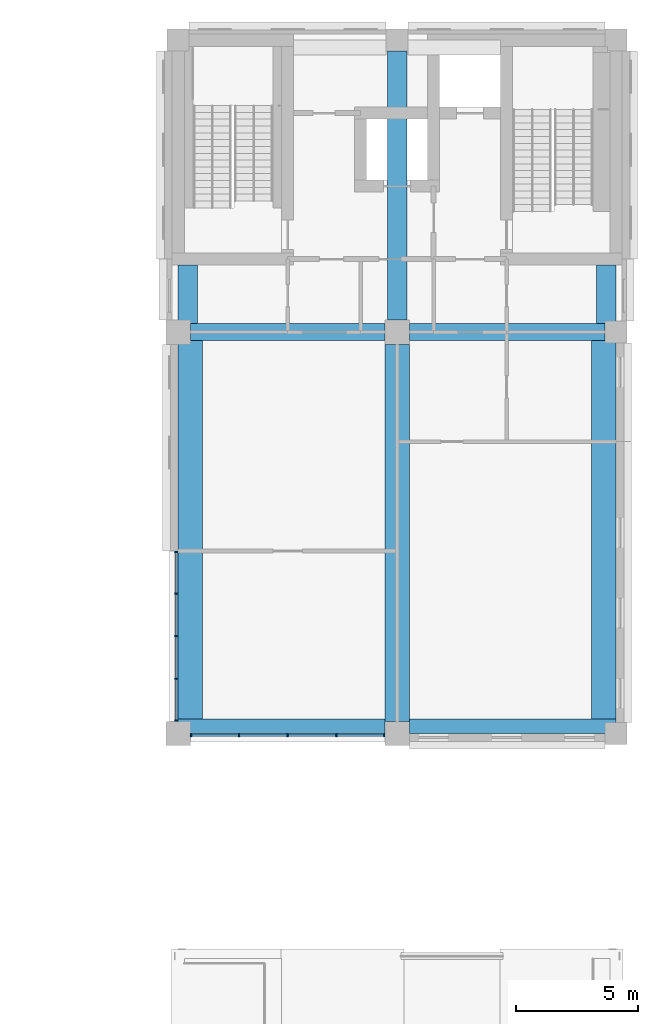
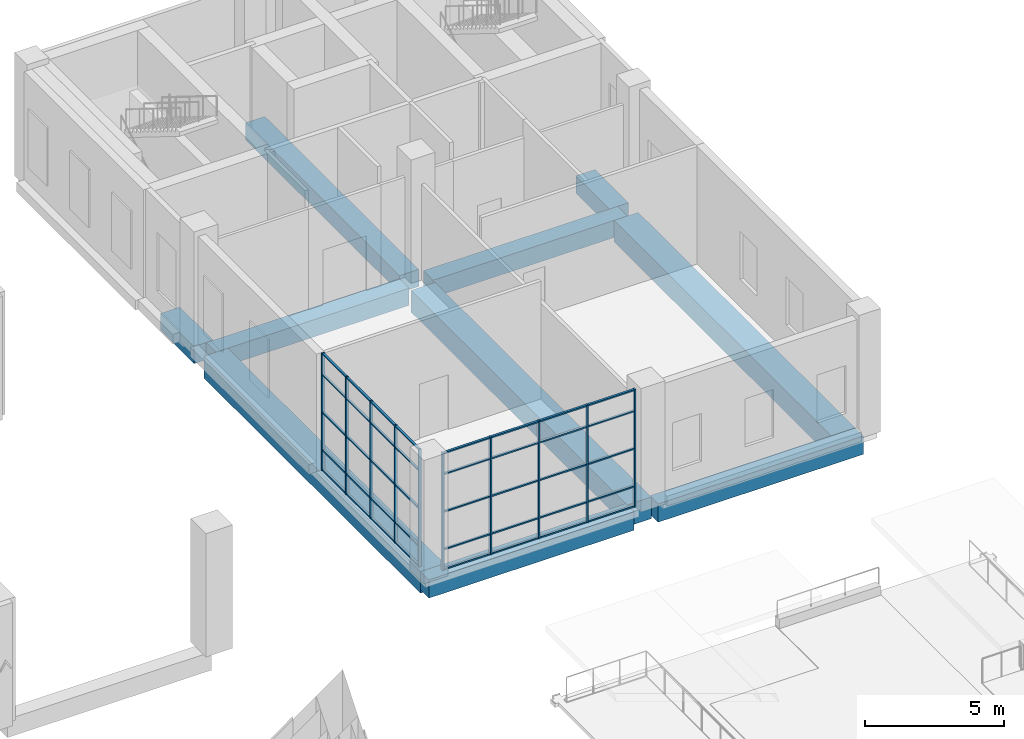
# One storey, part 13 of 53: 50 members, 10 beams, 2 elements without a shape of their own.
"""IFC4 building model written with IfcOpenShell, lengths in metres."""

from ifc_helpers import new_model, si_unit, direction, frame, origin, origin_2d, place, context, subcontext, project, spatial, rectangle, extrude, material, layer, layer_set, material_profile, profile_set, type_object, element, aggregate, save


model = new_model("IFC4")

# Units and contexts
model_context = context("Model", 3, precision=1e-05, world=origin(), true_north=direction((0.0, 1.0)))
body_context = subcontext(model_context, "Body", "Model", "MODEL_VIEW")
ifc_project = project(units=[si_unit("LENGTHUNIT", "METRE"), si_unit("AREAUNIT", "SQUARE_METRE"), si_unit("VOLUMEUNIT", "CUBIC_METRE"), si_unit("PLANEANGLEUNIT", "RADIAN"), si_unit("MASSUNIT", "GRAM", prefix="KILO")], contexts=[model_context])

# Site, building, storey
site_placement = place(None, origin())
site = spatial("IfcSite", under=ifc_project, at=site_placement, CompositionType="ELEMENT")
building_placement = place(site_placement, origin())
building = spatial("IfcBuilding", under=site, at=building_placement, Name="Aurelan Courthouse", CompositionType="ELEMENT")
storey_placement = place(building_placement, frame((0.0, 0.0, 12.0)))
storey = spatial("IfcBuildingStorey", under=building, at=storey_placement, Name="L02", CompositionType="ELEMENT", Elevation=12.0)

# Curtain wall, members
ifc_material_1 = material(Name="Bronze-finished aluminium and glass", Category="aluminium")
ifc_layer_1 = layer(ifc_material_1, 0.14990234375)
ifc_layer_set_1 = layer_set([ifc_layer_1], Name="Bronze-finished aluminium and glass")
curtain_wall_type_1 = type_object("IfcCurtainWallType", Name="Curtain wall 8000 x 5150", PredefinedType="NOTDEFINED", material=ifc_layer_set_1)
curtain_wall_1_placement = place(storey_placement, origin())
curtain_wall_1 = element("IfcCurtainWall", 1, at=curtain_wall_1_placement, inside=storey, type_object=curtain_wall_type_1, Name="Curtain wall CW-V3-L02-S01", PredefinedType="NOTDEFINED")
ifc_material_2 = material(Name="Bronze-finished aluminium", Category="aluminium")
ifc_material_profile_1 = material_profile(ifc_material_2, rectangle(XDim=0.125, YDim=0.06005859375, at=origin_2d()), Name="Bronze mullion 60 x 125")
ifc_profile_set_1 = profile_set([ifc_material_profile_1], Name="Bronze-finished aluminium")
member_type_1 = type_object("IfcMemberType", Name="Curtain wall mullion 60 x 125", PredefinedType="MULLION", material=ifc_profile_set_1)
member_1_placement = place(storey_placement, frame((72.530029296875, 37.425048828125, 0.0), z_axis=(0.0, 0.0, 1.0), x_axis=(0.0, 1.0, 0.0)))
member_1 = element("IfcMember", 2, at=member_1_placement, type_object=member_type_1, Name="CW-V3-L02-S01 mullion 1", PredefinedType="MULLION", context=body_context, shape_type="SweptSolid", body=[
    extrude(rectangle(XDim=0.125, YDim=0.06005859375, at=origin_2d()), origin(), (0.0, 0.0, 1.0), 5.14990234375),
])
member_2_placement = place(storey_placement, frame((74.5, 37.425048828125, 0.0), z_axis=(0.0, 0.0, 1.0), x_axis=(0.0, 1.0, 0.0)))
member_2 = element("IfcMember", 3, at=member_2_placement, type_object=member_type_1, Name="CW-V3-L02-S01 mullion 2", PredefinedType="MULLION", context=body_context, shape_type="SweptSolid", body=[
    extrude(rectangle(XDim=0.125, YDim=0.06005859375, at=origin_2d()), origin(), (0.0, 0.0, 1.0), 5.14990234375),
])
member_3_placement = place(storey_placement, frame((76.5, 37.425048828125, 0.0), z_axis=(0.0, 0.0, 1.0), x_axis=(0.0, 1.0, 0.0)))
member_3 = element("IfcMember", 4, at=member_3_placement, type_object=member_type_1, Name="CW-V3-L02-S01 mullion 3", PredefinedType="MULLION", context=body_context, shape_type="SweptSolid", body=[
    extrude(rectangle(XDim=0.125, YDim=0.06005859375, at=origin_2d()), origin(), (0.0, 0.0, 1.0), 5.14990234375),
])
member_4_placement = place(storey_placement, frame((78.5, 37.425048828125, 0.0), z_axis=(0.0, 0.0, 1.0), x_axis=(0.0, 1.0, 0.0)))
member_4 = element("IfcMember", 5, at=member_4_placement, type_object=member_type_1, Name="CW-V3-L02-S01 mullion 4", PredefinedType="MULLION", context=body_context, shape_type="SweptSolid", body=[
    extrude(rectangle(XDim=0.125, YDim=0.06005859375, at=origin_2d()), origin(), (0.0, 0.0, 1.0), 5.14990234375),
])
member_5_placement = place(storey_placement, frame((80.469970703125, 37.425048828125, 0.0), z_axis=(0.0, 0.0, 1.0), x_axis=(0.0, 1.0, 0.0)))
member_5 = element("IfcMember", 6, at=member_5_placement, type_object=member_type_1, Name="CW-V3-L02-S01 mullion 5", PredefinedType="MULLION", context=body_context, shape_type="SweptSolid", body=[
    extrude(rectangle(XDim=0.125, YDim=0.06005859375, at=origin_2d()), origin(), (0.0, 0.0, 1.0), 5.14990234375),
])

ifc_layer_2 = layer(ifc_material_1, 0.14990234375)
ifc_layer_set_2 = layer_set([ifc_layer_2], Name="Bronze-finished aluminium and glass")
curtain_wall_type_2 = type_object("IfcCurtainWallType", Name="Curtain wall 7000 x 5150", PredefinedType="NOTDEFINED", material=ifc_layer_set_2)
curtain_wall_2_placement = place(storey_placement, origin())
curtain_wall_2 = element("IfcCurtainWall", 7, at=curtain_wall_2_placement, inside=storey, type_object=curtain_wall_type_2, Name="Curtain wall CW-V3-L02-W01", PredefinedType="NOTDEFINED")
member_6_placement = place(storey_placement, frame((71.925048828125, 38.030029296875, 0.0), z_axis=(0.0, 0.0, 1.0), x_axis=(-1.0, 0.0, 0.0)))
member_6 = element("IfcMember", 8, at=member_6_placement, type_object=member_type_1, Name="CW-V3-L02-W01 mullion 1", PredefinedType="MULLION", context=body_context, shape_type="SweptSolid", body=[
    extrude(rectangle(XDim=0.125, YDim=0.06005859375, at=origin_2d()), origin(), (0.0, 0.0, 1.0), 5.14990234375),
])
member_7_placement = place(storey_placement, frame((71.925048828125, 39.75, 0.0), z_axis=(0.0, 0.0, 1.0), x_axis=(-1.0, 0.0, 0.0)))
member_7 = element("IfcMember", 9, at=member_7_placement, type_object=member_type_1, Name="CW-V3-L02-W01 mullion 2", PredefinedType="MULLION", context=body_context, shape_type="SweptSolid", body=[
    extrude(rectangle(XDim=0.125, YDim=0.06005859375, at=origin_2d()), origin(), (0.0, 0.0, 1.0), 5.14990234375),
])
member_8_placement = place(storey_placement, frame((71.925048828125, 41.5, 0.0), z_axis=(0.0, 0.0, 1.0), x_axis=(-1.0, 0.0, 0.0)))
member_8 = element("IfcMember", 10, at=member_8_placement, type_object=member_type_1, Name="CW-V3-L02-W01 mullion 3", PredefinedType="MULLION", context=body_context, shape_type="SweptSolid", body=[
    extrude(rectangle(XDim=0.125, YDim=0.06005859375, at=origin_2d()), origin(), (0.0, 0.0, 1.0), 5.14990234375),
])
member_9_placement = place(storey_placement, frame((71.925048828125, 43.25, 0.0), z_axis=(0.0, 0.0, 1.0), x_axis=(-1.0, 0.0, 0.0)))
member_9 = element("IfcMember", 11, at=member_9_placement, type_object=member_type_1, Name="CW-V3-L02-W01 mullion 4", PredefinedType="MULLION", context=body_context, shape_type="SweptSolid", body=[
    extrude(rectangle(XDim=0.125, YDim=0.06005859375, at=origin_2d()), origin(), (0.0, 0.0, 1.0), 5.14990234375),
])
member_10_placement = place(storey_placement, frame((71.925048828125, 44.969970703125, 0.0), z_axis=(0.0, 0.0, 1.0), x_axis=(-1.0, 0.0, 0.0)))
member_10 = element("IfcMember", 12, at=member_10_placement, type_object=member_type_1, Name="CW-V3-L02-W01 mullion 5", PredefinedType="MULLION", context=body_context, shape_type="SweptSolid", body=[
    extrude(rectangle(XDim=0.125, YDim=0.06005859375, at=origin_2d()), origin(), (0.0, 0.0, 1.0), 5.14990234375),
])

# Member
ifc_material_profile_2 = material_profile(ifc_material_2, rectangle(XDim=0.090087890625, YDim=0.06005859375, at=origin_2d()), Name="Bronze transom 60 x 90")
ifc_profile_set_2 = profile_set([ifc_material_profile_2], Name="Bronze-finished aluminium")
member_type_2 = type_object("IfcMemberType", Name="Curtain wall transom 60 x 90", PredefinedType="USERDEFINED", material=ifc_profile_set_2)
member_11_placement = place(storey_placement, frame((72.56005859375, 37.425048828125, 0.030029296875), z_axis=(1.0, 0.0, 0.0), x_axis=(0.0, 1.0, 0.0)))
member_11 = element("IfcMember", 13, at=member_11_placement, type_object=member_type_2, Name="CW-V3-L02-S01 transom 1.1", ObjectType="TRANSOM", PredefinedType="USERDEFINED", context=body_context, shape_type="SweptSolid", body=[
    extrude(rectangle(XDim=0.090087890625, YDim=0.06005859375, at=origin_2d()), origin(), (0.0, 0.0, 1.0), 1.909912109375),
])

member_12_placement = place(storey_placement, frame((72.56005859375, 37.425048828125, 0.89990234375), z_axis=(1.0, 0.0, 0.0), x_axis=(0.0, 1.0, 0.0)))
member_12 = element("IfcMember", 14, at=member_12_placement, type_object=member_type_2, Name="CW-V3-L02-S01 transom 1.2", ObjectType="TRANSOM", PredefinedType="USERDEFINED", context=body_context, shape_type="SweptSolid", body=[
    extrude(rectangle(XDim=0.090087890625, YDim=0.06005859375, at=origin_2d()), origin(), (0.0, 0.0, 1.0), 1.909912109375),
])

member_13_placement = place(storey_placement, frame((72.56005859375, 37.425048828125, 2.550048828125), z_axis=(1.0, 0.0, 0.0), x_axis=(0.0, 1.0, 0.0)))
member_13 = element("IfcMember", 15, at=member_13_placement, type_object=member_type_2, Name="CW-V3-L02-S01 transom 1.3", ObjectType="TRANSOM", PredefinedType="USERDEFINED", context=body_context, shape_type="SweptSolid", body=[
    extrude(rectangle(XDim=0.090087890625, YDim=0.06005859375, at=origin_2d()), origin(), (0.0, 0.0, 1.0), 1.909912109375),
])

member_14_placement = place(storey_placement, frame((72.56005859375, 37.425048828125, 4.199951171875), z_axis=(1.0, 0.0, 0.0), x_axis=(0.0, 1.0, 0.0)))
member_14 = element("IfcMember", 16, at=member_14_placement, type_object=member_type_2, Name="CW-V3-L02-S01 transom 1.4", ObjectType="TRANSOM", PredefinedType="USERDEFINED", context=body_context, shape_type="SweptSolid", body=[
    extrude(rectangle(XDim=0.090087890625, YDim=0.06005859375, at=origin_2d()), origin(), (0.0, 0.0, 1.0), 1.909912109375),
])

member_15_placement = place(storey_placement, frame((72.56005859375, 37.425048828125, 5.1201171875), z_axis=(1.0, 0.0, 0.0), x_axis=(0.0, 1.0, 0.0)))
member_15 = element("IfcMember", 17, at=member_15_placement, type_object=member_type_2, Name="CW-V3-L02-S01 transom 1.5", ObjectType="TRANSOM", PredefinedType="USERDEFINED", context=body_context, shape_type="SweptSolid", body=[
    extrude(rectangle(XDim=0.090087890625, YDim=0.06005859375, at=origin_2d()), origin(), (0.0, 0.0, 1.0), 1.909912109375),
])

member_16_placement = place(storey_placement, frame((74.530029296875, 37.425048828125, 0.030029296875), z_axis=(1.0, 0.0, 0.0), x_axis=(0.0, 1.0, 0.0)))
member_16 = element("IfcMember", 18, at=member_16_placement, type_object=member_type_2, Name="CW-V3-L02-S01 transom 2.1", ObjectType="TRANSOM", PredefinedType="USERDEFINED", context=body_context, shape_type="SweptSolid", body=[
    extrude(rectangle(XDim=0.090087890625, YDim=0.06005859375, at=origin_2d()), origin(), (0.0, 0.0, 1.0), 1.93994140625),
])

member_17_placement = place(storey_placement, frame((74.530029296875, 37.425048828125, 0.89990234375), z_axis=(1.0, 0.0, 0.0), x_axis=(0.0, 1.0, 0.0)))
member_17 = element("IfcMember", 19, at=member_17_placement, type_object=member_type_2, Name="CW-V3-L02-S01 transom 2.2", ObjectType="TRANSOM", PredefinedType="USERDEFINED", context=body_context, shape_type="SweptSolid", body=[
    extrude(rectangle(XDim=0.090087890625, YDim=0.06005859375, at=origin_2d()), origin(), (0.0, 0.0, 1.0), 1.93994140625),
])

member_18_placement = place(storey_placement, frame((74.530029296875, 37.425048828125, 2.550048828125), z_axis=(1.0, 0.0, 0.0), x_axis=(0.0, 1.0, 0.0)))
member_18 = element("IfcMember", 20, at=member_18_placement, type_object=member_type_2, Name="CW-V3-L02-S01 transom 2.3", ObjectType="TRANSOM", PredefinedType="USERDEFINED", context=body_context, shape_type="SweptSolid", body=[
    extrude(rectangle(XDim=0.090087890625, YDim=0.06005859375, at=origin_2d()), origin(), (0.0, 0.0, 1.0), 1.93994140625),
])

member_19_placement = place(storey_placement, frame((74.530029296875, 37.425048828125, 4.199951171875), z_axis=(1.0, 0.0, 0.0), x_axis=(0.0, 1.0, 0.0)))
member_19 = element("IfcMember", 21, at=member_19_placement, type_object=member_type_2, Name="CW-V3-L02-S01 transom 2.4", ObjectType="TRANSOM", PredefinedType="USERDEFINED", context=body_context, shape_type="SweptSolid", body=[
    extrude(rectangle(XDim=0.090087890625, YDim=0.06005859375, at=origin_2d()), origin(), (0.0, 0.0, 1.0), 1.93994140625),
])

member_20_placement = place(storey_placement, frame((74.530029296875, 37.425048828125, 5.1201171875), z_axis=(1.0, 0.0, 0.0), x_axis=(0.0, 1.0, 0.0)))
member_20 = element("IfcMember", 22, at=member_20_placement, type_object=member_type_2, Name="CW-V3-L02-S01 transom 2.5", ObjectType="TRANSOM", PredefinedType="USERDEFINED", context=body_context, shape_type="SweptSolid", body=[
    extrude(rectangle(XDim=0.090087890625, YDim=0.06005859375, at=origin_2d()), origin(), (0.0, 0.0, 1.0), 1.93994140625),
])

member_21_placement = place(storey_placement, frame((76.530029296875, 37.425048828125, 0.030029296875), z_axis=(1.0, 0.0, 0.0), x_axis=(0.0, 1.0, 0.0)))
member_21 = element("IfcMember", 23, at=member_21_placement, type_object=member_type_2, Name="CW-V3-L02-S01 transom 3.1", ObjectType="TRANSOM", PredefinedType="USERDEFINED", context=body_context, shape_type="SweptSolid", body=[
    extrude(rectangle(XDim=0.090087890625, YDim=0.06005859375, at=origin_2d()), origin(), (0.0, 0.0, 1.0), 1.93994140625),
])

member_22_placement = place(storey_placement, frame((76.530029296875, 37.425048828125, 0.89990234375), z_axis=(1.0, 0.0, 0.0), x_axis=(0.0, 1.0, 0.0)))
member_22 = element("IfcMember", 24, at=member_22_placement, type_object=member_type_2, Name="CW-V3-L02-S01 transom 3.2", ObjectType="TRANSOM", PredefinedType="USERDEFINED", context=body_context, shape_type="SweptSolid", body=[
    extrude(rectangle(XDim=0.090087890625, YDim=0.06005859375, at=origin_2d()), origin(), (0.0, 0.0, 1.0), 1.93994140625),
])

member_23_placement = place(storey_placement, frame((76.530029296875, 37.425048828125, 2.550048828125), z_axis=(1.0, 0.0, 0.0), x_axis=(0.0, 1.0, 0.0)))
member_23 = element("IfcMember", 25, at=member_23_placement, type_object=member_type_2, Name="CW-V3-L02-S01 transom 3.3", ObjectType="TRANSOM", PredefinedType="USERDEFINED", context=body_context, shape_type="SweptSolid", body=[
    extrude(rectangle(XDim=0.090087890625, YDim=0.06005859375, at=origin_2d()), origin(), (0.0, 0.0, 1.0), 1.93994140625),
])

member_24_placement = place(storey_placement, frame((76.530029296875, 37.425048828125, 4.199951171875), z_axis=(1.0, 0.0, 0.0), x_axis=(0.0, 1.0, 0.0)))
member_24 = element("IfcMember", 26, at=member_24_placement, type_object=member_type_2, Name="CW-V3-L02-S01 transom 3.4", ObjectType="TRANSOM", PredefinedType="USERDEFINED", context=body_context, shape_type="SweptSolid", body=[
    extrude(rectangle(XDim=0.090087890625, YDim=0.06005859375, at=origin_2d()), origin(), (0.0, 0.0, 1.0), 1.93994140625),
])

member_25_placement = place(storey_placement, frame((76.530029296875, 37.425048828125, 5.1201171875), z_axis=(1.0, 0.0, 0.0), x_axis=(0.0, 1.0, 0.0)))
member_25 = element("IfcMember", 27, at=member_25_placement, type_object=member_type_2, Name="CW-V3-L02-S01 transom 3.5", ObjectType="TRANSOM", PredefinedType="USERDEFINED", context=body_context, shape_type="SweptSolid", body=[
    extrude(rectangle(XDim=0.090087890625, YDim=0.06005859375, at=origin_2d()), origin(), (0.0, 0.0, 1.0), 1.93994140625),
])

member_26_placement = place(storey_placement, frame((78.530029296875, 37.425048828125, 0.030029296875), z_axis=(1.0, 0.0, 0.0), x_axis=(0.0, 1.0, 0.0)))
member_26 = element("IfcMember", 28, at=member_26_placement, type_object=member_type_2, Name="CW-V3-L02-S01 transom 4.1", ObjectType="TRANSOM", PredefinedType="USERDEFINED", context=body_context, shape_type="SweptSolid", body=[
    extrude(rectangle(XDim=0.090087890625, YDim=0.06005859375, at=origin_2d()), origin(), (0.0, 0.0, 1.0), 1.909912109375),
])

member_27_placement = place(storey_placement, frame((78.530029296875, 37.425048828125, 0.89990234375), z_axis=(1.0, 0.0, 0.0), x_axis=(0.0, 1.0, 0.0)))
member_27 = element("IfcMember", 29, at=member_27_placement, type_object=member_type_2, Name="CW-V3-L02-S01 transom 4.2", ObjectType="TRANSOM", PredefinedType="USERDEFINED", context=body_context, shape_type="SweptSolid", body=[
    extrude(rectangle(XDim=0.090087890625, YDim=0.06005859375, at=origin_2d()), origin(), (0.0, 0.0, 1.0), 1.909912109375),
])

member_28_placement = place(storey_placement, frame((78.530029296875, 37.425048828125, 2.550048828125), z_axis=(1.0, 0.0, 0.0), x_axis=(0.0, 1.0, 0.0)))
member_28 = element("IfcMember", 30, at=member_28_placement, type_object=member_type_2, Name="CW-V3-L02-S01 transom 4.3", ObjectType="TRANSOM", PredefinedType="USERDEFINED", context=body_context, shape_type="SweptSolid", body=[
    extrude(rectangle(XDim=0.090087890625, YDim=0.06005859375, at=origin_2d()), origin(), (0.0, 0.0, 1.0), 1.909912109375),
])

member_29_placement = place(storey_placement, frame((78.530029296875, 37.425048828125, 4.199951171875), z_axis=(1.0, 0.0, 0.0), x_axis=(0.0, 1.0, 0.0)))
member_29 = element("IfcMember", 31, at=member_29_placement, type_object=member_type_2, Name="CW-V3-L02-S01 transom 4.4", ObjectType="TRANSOM", PredefinedType="USERDEFINED", context=body_context, shape_type="SweptSolid", body=[
    extrude(rectangle(XDim=0.090087890625, YDim=0.06005859375, at=origin_2d()), origin(), (0.0, 0.0, 1.0), 1.909912109375),
])

member_30_placement = place(storey_placement, frame((78.530029296875, 37.425048828125, 5.1201171875), z_axis=(1.0, 0.0, 0.0), x_axis=(0.0, 1.0, 0.0)))
member_30 = element("IfcMember", 32, at=member_30_placement, type_object=member_type_2, Name="CW-V3-L02-S01 transom 4.5", ObjectType="TRANSOM", PredefinedType="USERDEFINED", context=body_context, shape_type="SweptSolid", body=[
    extrude(rectangle(XDim=0.090087890625, YDim=0.06005859375, at=origin_2d()), origin(), (0.0, 0.0, 1.0), 1.909912109375),
])

aggregate(curtain_wall_1, [member_1, member_2, member_3, member_4, member_5, member_11, member_12, member_13, member_14, member_15, member_16, member_17, member_18, member_19, member_20, member_21, member_22, member_23, member_24, member_25, member_26, member_27, member_28, member_29, member_30])

member_31_placement = place(storey_placement, frame((71.925048828125, 38.06005859375, 0.030029296875), z_axis=(0.0, 1.0, 0.0), x_axis=(-1.0, 0.0, 0.0)))
member_31 = element("IfcMember", 33, at=member_31_placement, type_object=member_type_2, Name="CW-V3-L02-W01 transom 1.1", ObjectType="TRANSOM", PredefinedType="USERDEFINED", context=body_context, shape_type="SweptSolid", body=[
    extrude(rectangle(XDim=0.090087890625, YDim=0.06005859375, at=origin_2d()), origin(), (0.0, 0.0, 1.0), 1.659912109375),
])

member_32_placement = place(storey_placement, frame((71.925048828125, 38.06005859375, 0.89990234375), z_axis=(0.0, 1.0, 0.0), x_axis=(-1.0, 0.0, 0.0)))
member_32 = element("IfcMember", 34, at=member_32_placement, type_object=member_type_2, Name="CW-V3-L02-W01 transom 1.2", ObjectType="TRANSOM", PredefinedType="USERDEFINED", context=body_context, shape_type="SweptSolid", body=[
    extrude(rectangle(XDim=0.090087890625, YDim=0.06005859375, at=origin_2d()), origin(), (0.0, 0.0, 1.0), 1.659912109375),
])

member_33_placement = place(storey_placement, frame((71.925048828125, 38.06005859375, 2.550048828125), z_axis=(0.0, 1.0, 0.0), x_axis=(-1.0, 0.0, 0.0)))
member_33 = element("IfcMember", 35, at=member_33_placement, type_object=member_type_2, Name="CW-V3-L02-W01 transom 1.3", ObjectType="TRANSOM", PredefinedType="USERDEFINED", context=body_context, shape_type="SweptSolid", body=[
    extrude(rectangle(XDim=0.090087890625, YDim=0.06005859375, at=origin_2d()), origin(), (0.0, 0.0, 1.0), 1.659912109375),
])

member_34_placement = place(storey_placement, frame((71.925048828125, 38.06005859375, 4.199951171875), z_axis=(0.0, 1.0, 0.0), x_axis=(-1.0, 0.0, 0.0)))
member_34 = element("IfcMember", 36, at=member_34_placement, type_object=member_type_2, Name="CW-V3-L02-W01 transom 1.4", ObjectType="TRANSOM", PredefinedType="USERDEFINED", context=body_context, shape_type="SweptSolid", body=[
    extrude(rectangle(XDim=0.090087890625, YDim=0.06005859375, at=origin_2d()), origin(), (0.0, 0.0, 1.0), 1.659912109375),
])

member_35_placement = place(storey_placement, frame((71.925048828125, 38.06005859375, 5.1201171875), z_axis=(0.0, 1.0, 0.0), x_axis=(-1.0, 0.0, 0.0)))
member_35 = element("IfcMember", 37, at=member_35_placement, type_object=member_type_2, Name="CW-V3-L02-W01 transom 1.5", ObjectType="TRANSOM", PredefinedType="USERDEFINED", context=body_context, shape_type="SweptSolid", body=[
    extrude(rectangle(XDim=0.090087890625, YDim=0.06005859375, at=origin_2d()), origin(), (0.0, 0.0, 1.0), 1.659912109375),
])

member_36_placement = place(storey_placement, frame((71.925048828125, 39.780029296875, 0.030029296875), z_axis=(0.0, 1.0, 0.0), x_axis=(-1.0, 0.0, 0.0)))
member_36 = element("IfcMember", 38, at=member_36_placement, type_object=member_type_2, Name="CW-V3-L02-W01 transom 2.1", ObjectType="TRANSOM", PredefinedType="USERDEFINED", context=body_context, shape_type="SweptSolid", body=[
    extrude(rectangle(XDim=0.090087890625, YDim=0.06005859375, at=origin_2d()), origin(), (0.0, 0.0, 1.0), 1.68994140625),
])

member_37_placement = place(storey_placement, frame((71.925048828125, 39.780029296875, 0.89990234375), z_axis=(0.0, 1.0, 0.0), x_axis=(-1.0, 0.0, 0.0)))
member_37 = element("IfcMember", 39, at=member_37_placement, type_object=member_type_2, Name="CW-V3-L02-W01 transom 2.2", ObjectType="TRANSOM", PredefinedType="USERDEFINED", context=body_context, shape_type="SweptSolid", body=[
    extrude(rectangle(XDim=0.090087890625, YDim=0.06005859375, at=origin_2d()), origin(), (0.0, 0.0, 1.0), 1.68994140625),
])

member_38_placement = place(storey_placement, frame((71.925048828125, 39.780029296875, 2.550048828125), z_axis=(0.0, 1.0, 0.0), x_axis=(-1.0, 0.0, 0.0)))
member_38 = element("IfcMember", 40, at=member_38_placement, type_object=member_type_2, Name="CW-V3-L02-W01 transom 2.3", ObjectType="TRANSOM", PredefinedType="USERDEFINED", context=body_context, shape_type="SweptSolid", body=[
    extrude(rectangle(XDim=0.090087890625, YDim=0.06005859375, at=origin_2d()), origin(), (0.0, 0.0, 1.0), 1.68994140625),
])

member_39_placement = place(storey_placement, frame((71.925048828125, 39.780029296875, 4.199951171875), z_axis=(0.0, 1.0, 0.0), x_axis=(-1.0, 0.0, 0.0)))
member_39 = element("IfcMember", 41, at=member_39_placement, type_object=member_type_2, Name="CW-V3-L02-W01 transom 2.4", ObjectType="TRANSOM", PredefinedType="USERDEFINED", context=body_context, shape_type="SweptSolid", body=[
    extrude(rectangle(XDim=0.090087890625, YDim=0.06005859375, at=origin_2d()), origin(), (0.0, 0.0, 1.0), 1.68994140625),
])

member_40_placement = place(storey_placement, frame((71.925048828125, 39.780029296875, 5.1201171875), z_axis=(0.0, 1.0, 0.0), x_axis=(-1.0, 0.0, 0.0)))
member_40 = element("IfcMember", 42, at=member_40_placement, type_object=member_type_2, Name="CW-V3-L02-W01 transom 2.5", ObjectType="TRANSOM", PredefinedType="USERDEFINED", context=body_context, shape_type="SweptSolid", body=[
    extrude(rectangle(XDim=0.090087890625, YDim=0.06005859375, at=origin_2d()), origin(), (0.0, 0.0, 1.0), 1.68994140625),
])

member_41_placement = place(storey_placement, frame((71.925048828125, 41.530029296875, 0.030029296875), z_axis=(0.0, 1.0, 0.0), x_axis=(-1.0, 0.0, 0.0)))
member_41 = element("IfcMember", 43, at=member_41_placement, type_object=member_type_2, Name="CW-V3-L02-W01 transom 3.1", ObjectType="TRANSOM", PredefinedType="USERDEFINED", context=body_context, shape_type="SweptSolid", body=[
    extrude(rectangle(XDim=0.090087890625, YDim=0.06005859375, at=origin_2d()), origin(), (0.0, 0.0, 1.0), 1.68994140625),
])

member_42_placement = place(storey_placement, frame((71.925048828125, 41.530029296875, 0.89990234375), z_axis=(0.0, 1.0, 0.0), x_axis=(-1.0, 0.0, 0.0)))
member_42 = element("IfcMember", 44, at=member_42_placement, type_object=member_type_2, Name="CW-V3-L02-W01 transom 3.2", ObjectType="TRANSOM", PredefinedType="USERDEFINED", context=body_context, shape_type="SweptSolid", body=[
    extrude(rectangle(XDim=0.090087890625, YDim=0.06005859375, at=origin_2d()), origin(), (0.0, 0.0, 1.0), 1.68994140625),
])

member_43_placement = place(storey_placement, frame((71.925048828125, 41.530029296875, 2.550048828125), z_axis=(0.0, 1.0, 0.0), x_axis=(-1.0, 0.0, 0.0)))
member_43 = element("IfcMember", 45, at=member_43_placement, type_object=member_type_2, Name="CW-V3-L02-W01 transom 3.3", ObjectType="TRANSOM", PredefinedType="USERDEFINED", context=body_context, shape_type="SweptSolid", body=[
    extrude(rectangle(XDim=0.090087890625, YDim=0.06005859375, at=origin_2d()), origin(), (0.0, 0.0, 1.0), 1.68994140625),
])

member_44_placement = place(storey_placement, frame((71.925048828125, 41.530029296875, 4.199951171875), z_axis=(0.0, 1.0, 0.0), x_axis=(-1.0, 0.0, 0.0)))
member_44 = element("IfcMember", 46, at=member_44_placement, type_object=member_type_2, Name="CW-V3-L02-W01 transom 3.4", ObjectType="TRANSOM", PredefinedType="USERDEFINED", context=body_context, shape_type="SweptSolid", body=[
    extrude(rectangle(XDim=0.090087890625, YDim=0.06005859375, at=origin_2d()), origin(), (0.0, 0.0, 1.0), 1.68994140625),
])

member_45_placement = place(storey_placement, frame((71.925048828125, 41.530029296875, 5.1201171875), z_axis=(0.0, 1.0, 0.0), x_axis=(-1.0, 0.0, 0.0)))
member_45 = element("IfcMember", 47, at=member_45_placement, type_object=member_type_2, Name="CW-V3-L02-W01 transom 3.5", ObjectType="TRANSOM", PredefinedType="USERDEFINED", context=body_context, shape_type="SweptSolid", body=[
    extrude(rectangle(XDim=0.090087890625, YDim=0.06005859375, at=origin_2d()), origin(), (0.0, 0.0, 1.0), 1.68994140625),
])

member_46_placement = place(storey_placement, frame((71.925048828125, 43.280029296875, 0.030029296875), z_axis=(0.0, 1.0, 0.0), x_axis=(-1.0, 0.0, 0.0)))
member_46 = element("IfcMember", 48, at=member_46_placement, type_object=member_type_2, Name="CW-V3-L02-W01 transom 4.1", ObjectType="TRANSOM", PredefinedType="USERDEFINED", context=body_context, shape_type="SweptSolid", body=[
    extrude(rectangle(XDim=0.090087890625, YDim=0.06005859375, at=origin_2d()), origin(), (0.0, 0.0, 1.0), 1.659912109375),
])

member_47_placement = place(storey_placement, frame((71.925048828125, 43.280029296875, 0.89990234375), z_axis=(0.0, 1.0, 0.0), x_axis=(-1.0, 0.0, 0.0)))
member_47 = element("IfcMember", 49, at=member_47_placement, type_object=member_type_2, Name="CW-V3-L02-W01 transom 4.2", ObjectType="TRANSOM", PredefinedType="USERDEFINED", context=body_context, shape_type="SweptSolid", body=[
    extrude(rectangle(XDim=0.090087890625, YDim=0.06005859375, at=origin_2d()), origin(), (0.0, 0.0, 1.0), 1.659912109375),
])

member_48_placement = place(storey_placement, frame((71.925048828125, 43.280029296875, 2.550048828125), z_axis=(0.0, 1.0, 0.0), x_axis=(-1.0, 0.0, 0.0)))
member_48 = element("IfcMember", 50, at=member_48_placement, type_object=member_type_2, Name="CW-V3-L02-W01 transom 4.3", ObjectType="TRANSOM", PredefinedType="USERDEFINED", context=body_context, shape_type="SweptSolid", body=[
    extrude(rectangle(XDim=0.090087890625, YDim=0.06005859375, at=origin_2d()), origin(), (0.0, 0.0, 1.0), 1.659912109375),
])

member_49_placement = place(storey_placement, frame((71.925048828125, 43.280029296875, 4.199951171875), z_axis=(0.0, 1.0, 0.0), x_axis=(-1.0, 0.0, 0.0)))
member_49 = element("IfcMember", 51, at=member_49_placement, type_object=member_type_2, Name="CW-V3-L02-W01 transom 4.4", ObjectType="TRANSOM", PredefinedType="USERDEFINED", context=body_context, shape_type="SweptSolid", body=[
    extrude(rectangle(XDim=0.090087890625, YDim=0.06005859375, at=origin_2d()), origin(), (0.0, 0.0, 1.0), 1.659912109375),
])

member_50_placement = place(storey_placement, frame((71.925048828125, 43.280029296875, 5.1201171875), z_axis=(0.0, 1.0, 0.0), x_axis=(-1.0, 0.0, 0.0)))
member_50 = element("IfcMember", 52, at=member_50_placement, type_object=member_type_2, Name="CW-V3-L02-W01 transom 4.5", ObjectType="TRANSOM", PredefinedType="USERDEFINED", context=body_context, shape_type="SweptSolid", body=[
    extrude(rectangle(XDim=0.090087890625, YDim=0.06005859375, at=origin_2d()), origin(), (0.0, 0.0, 1.0), 1.659912109375),
])

aggregate(curtain_wall_2, [member_6, member_7, member_8, member_9, member_10, member_31, member_32, member_33, member_34, member_35, member_36, member_37, member_38, member_39, member_40, member_41, member_42, member_43, member_44, member_45, member_46, member_47, member_48, member_49, member_50])

# Beams
ifc_material_3 = material(Name="Concrete C50", Category="concrete")
ifc_material_profile_3 = material_profile(ifc_material_3, rectangle(XDim=0.699951171875, YDim=0.75, at=origin_2d()), Name="RC 700 x 750")
ifc_profile_set_3 = profile_set([ifc_material_profile_3], Name="Concrete C50")
beam_type_1 = type_object("IfcBeamType", Name="PT beam 700 x 750", PredefinedType="BEAM", material=ifc_profile_set_3)
beam_1_placement = place(storey_placement, frame((72.5, 54.0, -0.675048828125), z_axis=(1.0, 0.0, 0.0), x_axis=(0.0, 1.0, 0.0)))
element("IfcBeam", 53, at=beam_1_placement, inside=storey, type_object=beam_type_1, Name="Beam EB-E-9-10", PredefinedType="BEAM", context=body_context, shape_type="SweptSolid", body=[
    extrude(rectangle(XDim=0.699951171875, YDim=0.75, at=origin_2d()), origin(), (0.0, 0.0, 1.0), 8.0),
])
beam_2_placement = place(storey_placement, frame((81.5, 54.0, -0.675048828125), z_axis=(1.0, 0.0, 0.0), x_axis=(0.0, 1.0, 0.0)))
element("IfcBeam", 54, at=beam_2_placement, inside=storey, type_object=beam_type_1, Name="Beam EB-E-10-11", PredefinedType="BEAM", context=body_context, shape_type="SweptSolid", body=[
    extrude(rectangle(XDim=0.699951171875, YDim=0.75, at=origin_2d()), origin(), (0.0, 0.0, 1.0), 8.050048828125),
])
ifc_material_profile_4 = material_profile(ifc_material_3, rectangle(XDim=1.0, YDim=0.949951171875, at=origin_2d()), Name="RC 1000 x 950")
ifc_profile_set_4 = profile_set([ifc_material_profile_4], Name="Concrete C50")
beam_type_2 = type_object("IfcBeamType", Name="PT girder 1000 x 950", PredefinedType="BEAM", material=ifc_profile_set_4)
beam_3_placement = place(storey_placement, frame((72.5, 38.10009765625, -0.77490234375), z_axis=(0.0, 1.0, 0.0), x_axis=(-1.0, 0.0, 0.0)))
element("IfcBeam", 55, at=beam_3_placement, inside=storey, type_object=beam_type_2, Name="Girder GB-9DE-E", PredefinedType="BEAM", context=body_context, shape_type="SweptSolid", body=[
    extrude(rectangle(XDim=1.0, YDim=0.949951171875, at=origin_2d()), origin(), (0.0, 0.0, 1.0), 15.5498046875),
])
beam_4_placement = place(storey_placement, frame((81.0, 38.0, -0.77490234375), z_axis=(0.0, 1.0, 0.0), x_axis=(-1.0, 0.0, 0.0)))
element("IfcBeam", 56, at=beam_4_placement, inside=storey, type_object=beam_type_2, Name="Girder GB-10DE", PredefinedType="BEAM", context=body_context, shape_type="SweptSolid", body=[
    extrude(rectangle(XDim=1.0, YDim=0.949951171875, at=origin_2d()), origin(), (0.0, 0.0, 1.0), 15.5),
])
beam_5_placement = place(storey_placement, frame((89.5, 38.10009765625, -0.77490234375), z_axis=(0.0, 1.0, 0.0), x_axis=(-1.0, 0.0, 0.0)))
element("IfcBeam", 57, at=beam_5_placement, inside=storey, type_object=beam_type_2, Name="Girder GB-11DE-E", PredefinedType="BEAM", context=body_context, shape_type="SweptSolid", body=[
    extrude(rectangle(XDim=1.0, YDim=0.949951171875, at=origin_2d()), origin(), (0.0, 0.0, 1.0), 15.5498046875),
])
ifc_material_profile_5 = material_profile(ifc_material_3, rectangle(XDim=0.800048828125, YDim=0.75, at=origin_2d()), Name="RC 800 x 750")
ifc_profile_set_5 = profile_set([ifc_material_profile_5], Name="Concrete C50")
beam_type_3 = type_object("IfcBeamType", Name="PT girder 800 x 750", PredefinedType="BEAM", material=ifc_profile_set_5)
beam_6_placement = place(storey_placement, frame((72.39990234375, 54.35009765625, -0.675048828125), z_axis=(0.0, 1.0, 0.0), x_axis=(-1.0, 0.0, 0.0)))
element("IfcBeam", 58, at=beam_6_placement, inside=storey, type_object=beam_type_3, Name="Girder GB-9EF-E", PredefinedType="BEAM", context=body_context, shape_type="SweptSolid", body=[
    extrude(rectangle(XDim=0.800048828125, YDim=0.75, at=origin_2d()), origin(), (0.0, 0.0, 1.0), 2.39990234375),
])
beam_7_placement = place(storey_placement, frame((81.0, 54.5, -0.675048828125), z_axis=(0.0, 1.0, 0.0), x_axis=(-1.0, 0.0, 0.0)))
element("IfcBeam", 59, at=beam_7_placement, inside=storey, type_object=beam_type_3, Name="Girder GB-10EF", PredefinedType="BEAM", context=body_context, shape_type="SweptSolid", body=[
    extrude(rectangle(XDim=0.800048828125, YDim=0.75, at=origin_2d()), origin(), (0.0, 0.0, 1.0), 11.050048828125),
])
beam_8_placement = place(storey_placement, frame((89.60009765625, 54.35009765625, -0.675048828125), z_axis=(0.0, 1.0, 0.0), x_axis=(-1.0, 0.0, 0.0)))
element("IfcBeam", 60, at=beam_8_placement, inside=storey, type_object=beam_type_3, Name="Girder GB-11EF-E", PredefinedType="BEAM", context=body_context, shape_type="SweptSolid", body=[
    extrude(rectangle(XDim=0.800048828125, YDim=0.75, at=origin_2d()), origin(), (0.0, 0.0, 1.0), 2.39990234375),
])
ifc_material_profile_6 = material_profile(ifc_material_3, rectangle(XDim=0.60009765625, YDim=0.800048828125, at=origin_2d()), Name="RC 600 x 800")
ifc_profile_set_6 = profile_set([ifc_material_profile_6], Name="Concrete C50")
beam_type_4 = type_object("IfcBeamType", Name="RC spandrel beam 600 x 800", PredefinedType="SPANDREL", material=ifc_profile_set_6)
for number, where, z_axis, x_axis, name in (
    (61, (72.0, 37.800048828125, -0.699951171875), (1.0, 0.0, 0.0), (0.0, 1.0, 0.0), "Spandrel beam SB-D-9-10"),
    (62, (81.5, 37.800048828125, -0.699951171875), (1.0, 0.0, 0.0), (0.0, 1.0, 0.0), "Spandrel beam SB-D-10-11"),
):
    element("IfcBeam", number, at=place(storey_placement, frame(where, z_axis=z_axis, x_axis=x_axis)), inside=storey, type_object=beam_type_4, Name=name, PredefinedType="SPANDREL", context=body_context, shape_type="SweptSolid", body=[
        extrude(rectangle(XDim=0.60009765625, YDim=0.800048828125, at=origin_2d()), origin(), (0.0, 0.0, 1.0), 8.5),
    ])

save(model, "model.ifc")
